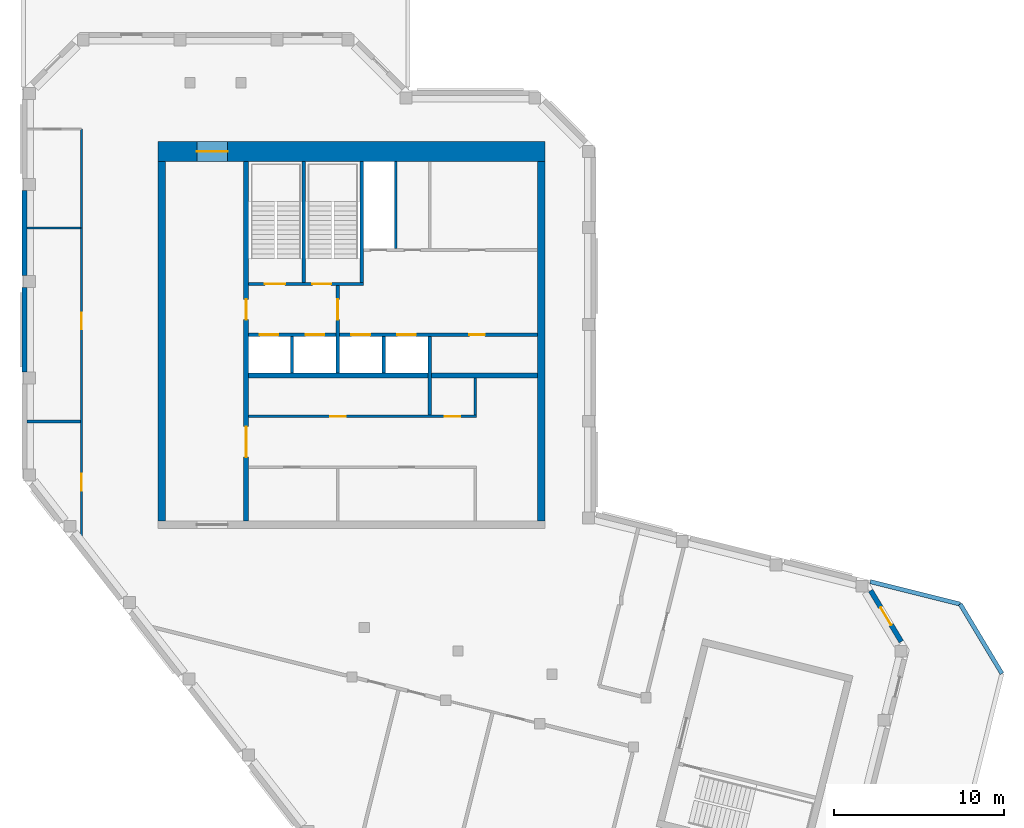
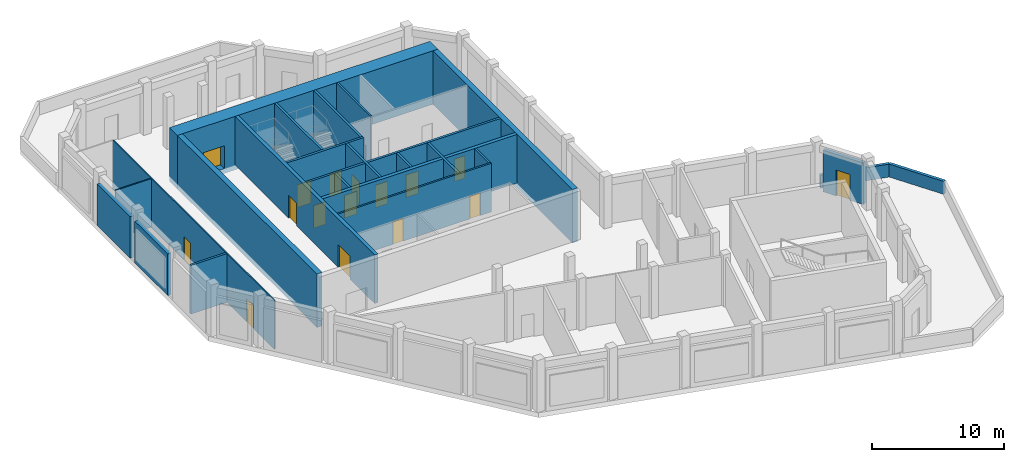
# One storey, part 3 of 5: 24 walls, 16 doors, 16 openings.
"""IFC4 building model written with IfcOpenShell, lengths in metres."""

from ifc_helpers import new_model, si_unit, direction, frame, frame_2d, origin, place, context, subcontext, project, spatial, rectangle, extrude, material, layer, layer_set, type_object, element, fill, save


model = new_model("IFC4")

# Units and contexts
model_context = context("Model", 3, precision=1e-05, world=origin(), true_north=direction((0.0, 1.0)))
body_context = subcontext(model_context, "Body", "Model", "MODEL_VIEW")
ifc_project = project(units=[si_unit("LENGTHUNIT", "METRE"), si_unit("AREAUNIT", "SQUARE_METRE"), si_unit("VOLUMEUNIT", "CUBIC_METRE"), si_unit("PLANEANGLEUNIT", "RADIAN"), si_unit("MASSUNIT", "GRAM", prefix="KILO")], contexts=[model_context])

# Site, building, storey
site_placement = place(None, origin())
site = spatial("IfcSite", under=ifc_project, at=site_placement, CompositionType="ELEMENT")
building_placement = place(site_placement, origin())
building = spatial("IfcBuilding", under=site, at=building_placement, Name="Meshkara Civic Tower", CompositionType="ELEMENT")
storey_placement = place(building_placement, frame((0.0, 0.0, 409.800048828125)))
storey = spatial("IfcBuildingStorey", under=building, at=storey_placement, Name="L94 Crown", CompositionType="ELEMENT", Elevation=409.800048828125)

# Walls
ifc_material_1 = material(Name="Insulated infill panel with bronze anodised aluminium cladding", Category="aluminium")
ifc_layer_1 = layer(ifc_material_1, 0.300048828125)
ifc_layer_set_1 = layer_set([ifc_layer_1], Name="CROWN WALL 300")
wall_type_1 = type_object("IfcWallType", Name="CROWN WALL 300", PredefinedType="SOLIDWALL", material=ifc_layer_set_1)
for number, where, z_axis, x_axis, name in (
    (1, (0.14990234375, 34.0048828125, 0.0), (0.0, 0.0, 1.0), (0.0, -1.0, 0.0), "Crown external wall"),
    (2, (0.14990234375, 28.304931640625, 0.0), (0.0, 0.0, 1.0), (0.0, -1.0, 0.0), "Crown external wall"),
):
    element("IfcWall", number, at=place(storey_placement, frame(where, z_axis=z_axis, x_axis=x_axis)), inside=storey, type_object=wall_type_1, Name=name, PredefinedType="SOLIDWALL", context=body_context, shape_type="SweptSolid", body=[
        extrude(rectangle(XDim=5.0, YDim=0.300048828125, at=frame_2d((2.5, 0.0))), origin(), (0.0, 0.0, 1.0), 3.849853515625),
    ])

# Wall, opening, door
wall_1_placement = place(storey_placement, frame((51.780029296875, 7.43896484375, 0.0), z_axis=(0.0, 0.0, 1.0), x_axis=(-0.514956880481, 0.857216082003, 0.0)))
wall_1 = element("IfcWall", 3, at=wall_1_placement, inside=storey, type_object=wall_type_1, Name="Crown external wall", PredefinedType="SOLIDWALL", context=body_context, shape_type="SweptSolid", body=[
    extrude(rectangle(XDim=3.503173828125, YDim=0.300048828125, at=frame_2d((1.75146484375, 0.0))), origin(), (0.0, 0.0, 1.0), 3.849853515625),
])
opening_1_placement = place(wall_1_placement, frame((1.152099609375, 0.0, 0.0)))
opening_1 = element("IfcOpeningElement", 4, at=opening_1_placement, cuts=wall_1, Name="Opening L94 Crown-L008", PredefinedType="OPENING", context=body_context, shape_type="SweptSolid", body=[
    extrude(rectangle(XDim=1.199951171875, YDim=2.39990234375, at=frame_2d((0.60009765625, 1.199951171875))), frame((0.0, 0.159912109375, 0.0), z_axis=(0.0, -1.0, 0.0), x_axis=(1.0, 0.0, 0.0)), (0.0, 0.0, 1.0), 0.320068359375),
])
ifc_material_2 = material(Name="Steel S355", Category="steel")
door_type_1 = type_object("IfcDoorType", Name="ROOF ACCESS DOOR 1200x2400", OperationType="SINGLE_SWING_LEFT", PredefinedType="DOOR", material=ifc_material_2)
door_1_placement = place(opening_1_placement, origin())
door_1 = element("IfcDoor", 5, at=door_1_placement, inside=storey, type_object=door_type_1, Name="L94 Crown-L008", OperationType="SINGLE_SWING_LEFT", OverallHeight=2.39990234375, OverallWidth=1.199951171875, PredefinedType="DOOR", context=body_context, shape_type="SweptSolid", body=[
    extrude(rectangle(XDim=1.199951171875, YDim=2.39990234375, at=frame_2d((0.60009765625, 1.199951171875))), frame((0.0, 0.02490234375, 0.0), z_axis=(0.0, -1.0, 0.0), x_axis=(1.0, 0.0, 0.0)), (0.0, 0.0, 1.0), 0.050048828125),
])
fill(opening_1, door_1)

# Wall, openings, doors
ifc_material_3 = material(Name="Blockwork", Category="masonry")
ifc_layer_2 = layer(ifc_material_3, 0.14990234375)
ifc_layer_set_2 = layer_set([ifc_layer_2], Name="Core partition 150")
wall_type_2 = type_object("IfcWallType", Name="Core partition 150", PredefinedType="PARTITIONING", material=ifc_layer_set_2)
wall_2_placement = place(storey_placement, frame((13.35009765625, 20.699951171875, 0.0), z_axis=(0.0, 0.0, 1.0), x_axis=(1.0, 0.0, 0.0)))
wall_2 = element("IfcWall", 6, at=wall_2_placement, inside=storey, type_object=wall_type_2, Name="L94 Crown-C006", PredefinedType="PARTITIONING", context=body_context, shape_type="SweptSolid", body=[
    extrude(rectangle(XDim=13.4248046875, YDim=0.14990234375, at=frame_2d((6.71240234375, 0.0))), origin(), (0.0, 0.0, 1.0), 4.5),
])
opening_2_placement = place(wall_2_placement, frame((4.800048828125, 0.0, 0.0)))
opening_2 = element("IfcOpeningElement", 7, at=opening_2_placement, cuts=wall_2, Name="Opening L94 Crown-K007", PredefinedType="OPENING", context=body_context, shape_type="SweptSolid", body=[
    extrude(rectangle(XDim=0.89990234375, YDim=2.10009765625, at=frame_2d((0.449951171875, 1.050048828125))), frame((0.0, 0.0849609375, 0.0), z_axis=(0.0, -1.0, 0.0), x_axis=(1.0, 0.0, 0.0)), (0.0, 0.0, 1.0), 0.169921875),
])
opening_3_placement = place(wall_2_placement, frame((11.550048828125, 0.0, 0.0)))
opening_3 = element("IfcOpeningElement", 8, at=opening_3_placement, cuts=wall_2, Name="Opening L94 Crown-K008", PredefinedType="OPENING", context=body_context, shape_type="SweptSolid", body=[
    extrude(rectangle(XDim=0.89990234375, YDim=2.10009765625, at=frame_2d((0.449951171875, 1.050048828125))), frame((0.0, 0.0849609375, 0.0), z_axis=(0.0, -1.0, 0.0), x_axis=(1.0, 0.0, 0.0)), (0.0, 0.0, 1.0), 0.169921875),
])
ifc_material_4 = material(Name="Timber door leaf in steel frame", Category="steel")
door_type_2 = type_object("IfcDoorType", Name="Core room door 900", OperationType="SINGLE_SWING_LEFT", PredefinedType="DOOR", material=ifc_material_4)
door_2_placement = place(opening_2_placement, origin())
door_2 = element("IfcDoor", 9, at=door_2_placement, inside=storey, type_object=door_type_2, Name="L94 Crown-K007", OperationType="SINGLE_SWING_RIGHT", OverallHeight=2.10009765625, OverallWidth=0.89990234375, PredefinedType="DOOR", context=body_context, shape_type="SweptSolid", body=[
    extrude(rectangle(XDim=0.89990234375, YDim=2.10009765625, at=frame_2d((0.449951171875, 1.050048828125))), frame((0.0, 0.02490234375, 0.0), z_axis=(0.0, -1.0, 0.0), x_axis=(1.0, 0.0, 0.0)), (0.0, 0.0, 1.0), 0.050048828125),
])
fill(opening_2, door_2)
door_3_placement = place(opening_3_placement, origin())
door_3 = element("IfcDoor", 10, at=door_3_placement, inside=storey, type_object=door_type_2, Name="L94 Crown-K008", OperationType="SINGLE_SWING_RIGHT", OverallHeight=2.10009765625, OverallWidth=0.89990234375, PredefinedType="DOOR", context=body_context, shape_type="SweptSolid", body=[
    extrude(rectangle(XDim=0.89990234375, YDim=2.10009765625, at=frame_2d((0.449951171875, 1.050048828125))), frame((0.0, 0.02490234375, 0.0), z_axis=(0.0, -1.0, 0.0), x_axis=(1.0, 0.0, 0.0)), (0.0, 0.0, 1.0), 0.050048828125),
])
fill(opening_3, door_3)

# Walls
wall_3_placement = place(storey_placement, frame((22.0, 30.574951171875, 0.0), z_axis=(0.0, 0.0, 1.0), x_axis=(0.0, 1.0, 0.0)))
element("IfcWall", 11, at=wall_3_placement, inside=storey, type_object=wall_type_2, Name="L94 Crown-C018", PredefinedType="PARTITIONING", context=body_context, shape_type="SweptSolid", body=[
    extrude(rectangle(XDim=5.125, YDim=0.14990234375, at=frame_2d((2.5625, 0.0))), origin(), (0.0, 0.0, 1.0), 4.5),
])
wall_4_placement = place(storey_placement, frame((26.699951171875, 20.77490234375, 0.0), z_axis=(0.0, 0.0, 1.0), x_axis=(0.0, 1.0, 0.0)))
element("IfcWall", 12, at=wall_4_placement, inside=storey, type_object=wall_type_2, Name="L94 Crown-C022", PredefinedType="PARTITIONING", context=body_context, shape_type="SweptSolid", body=[
    extrude(rectangle(XDim=2.175048828125, YDim=0.14990234375, at=frame_2d((1.08740234375, 0.0))), origin(), (0.0, 0.0, 1.0), 4.5),
])

# Wall, opening, door
ifc_material_5 = material(Name="Concrete C50", Category="concrete")
ifc_layer_3 = layer(ifc_material_5, 1.199951171875)
ifc_layer_set_3 = layer_set([ifc_layer_3], Name="Core ring wall 1200 C50")
wall_type_3 = type_object("IfcWallType", Name="Core ring wall 1200 C50", PredefinedType="SHEAR", material=ifc_layer_set_3)
wall_5_placement = place(storey_placement, frame((8.0, 36.300048828125, -0.449951171875), z_axis=(0.0, 0.0, 1.0), x_axis=(1.0, 0.0, 0.0)))
wall_5 = element("IfcWall", 13, at=wall_5_placement, inside=storey, type_object=wall_type_3, Name="L94 Crown-C002", PredefinedType="SHEAR", context=body_context, shape_type="SweptSolid", body=[
    extrude(rectangle(XDim=22.800048828125, YDim=1.199951171875, at=frame_2d((11.39990234375, 0.0))), origin(), (0.0, 0.0, 1.0), 4.949951171875),
])
opening_4_placement = place(wall_5_placement, frame((2.300048828125, 0.0, 0.449951171875)))
opening_4 = element("IfcOpeningElement", 14, at=opening_4_placement, cuts=wall_5, Name="Opening L94 Crown-K018", PredefinedType="OPENING", context=body_context, shape_type="SweptSolid", body=[
    extrude(rectangle(XDim=1.800048828125, YDim=2.10009765625, at=frame_2d((0.89990234375, 1.050048828125))), frame((0.0, 0.60986328125, 0.0), z_axis=(0.0, -1.0, 0.0), x_axis=(1.0, 0.0, 0.0)), (0.0, 0.0, 1.0), 1.219970703125),
])
ifc_material_6 = material(Name="Fire-rated door leaf in steel frame", Category="steel")
door_type_3 = type_object("IfcDoorType", Name="Core double door 1800 EI 60", OperationType="DOUBLE_DOOR_SINGLE_SWING", PredefinedType="DOOR", material=ifc_material_6)
door_4_placement = place(opening_4_placement, origin())
door_4 = element("IfcDoor", 15, at=door_4_placement, inside=storey, type_object=door_type_3, Name="L94 Crown-K018", OperationType="DOUBLE_DOOR_SINGLE_SWING", OverallHeight=2.10009765625, OverallWidth=1.800048828125, PredefinedType="DOOR", context=body_context, shape_type="SweptSolid", body=[
    extrude(rectangle(XDim=1.800048828125, YDim=2.10009765625, at=frame_2d((0.89990234375, 1.050048828125))), frame((0.0, 0.02490234375, 0.0), z_axis=(0.0, -1.0, 0.0), x_axis=(1.0, 0.0, 0.0)), (0.0, 0.0, 1.0), 0.050048828125),
])
fill(opening_4, door_4)

# Walls
ifc_material_7 = material(Name="Concrete C50", Category="concrete")
ifc_layer_4 = layer(ifc_material_7, 0.449951171875)
ifc_layer_set_4 = layer_set([ifc_layer_4], Name="Core ring wall 450 C50")
wall_type_4 = type_object("IfcWallType", Name="Core ring wall 450 C50", PredefinedType="SHEAR", material=ifc_layer_set_4)
for number, where, z_axis, x_axis, name in (
    (16, (8.22509765625, 14.550048828125, -0.449951171875), (0.0, 0.0, 1.0), (0.0, 1.0, 0.0), "L94 Crown-C003"),
    (17, (30.574951171875, 14.550048828125, -0.449951171875), (0.0, 0.0, 1.0), (0.0, 1.0, 0.0), "L94 Crown-C004"),
):
    element("IfcWall", number, at=place(storey_placement, frame(where, z_axis=z_axis, x_axis=x_axis)), inside=storey, type_object=wall_type_4, Name=name, PredefinedType="SHEAR", context=body_context, shape_type="SweptSolid", body=[
        extrude(rectangle(XDim=21.14990234375, YDim=0.449951171875, at=frame_2d((10.574951171875, 0.0))), origin(), (0.0, 0.0, 1.0), 4.949951171875),
    ])
ifc_material_8 = material(Name="Concrete C50", Category="concrete")
ifc_layer_5 = layer(ifc_material_8, 0.300048828125)
ifc_layer_set_5 = layer_set([ifc_layer_5], Name="Core shear wall 300 C50")
wall_type_5 = type_object("IfcWallType", Name="Core shear wall 300 C50", PredefinedType="SHEAR", material=ifc_layer_set_5)
wall_6_placement = place(storey_placement, frame((13.35009765625, 23.10009765625, 0.0), z_axis=(0.0, 0.0, 1.0), x_axis=(1.0, 0.0, 0.0)))
element("IfcWall", 18, at=wall_6_placement, inside=storey, type_object=wall_type_5, Name="L94 Crown-C007", PredefinedType="SHEAR", context=body_context, shape_type="SweptSolid", body=[
    extrude(rectangle(XDim=17.0, YDim=0.300048828125, at=frame_2d((8.5, 0.0))), origin(), (0.0, 0.0, 1.0), 4.5),
])

# Wall, openings, doors
wall_7_placement = place(storey_placement, frame((13.199951171875, 14.550048828125, 0.0), z_axis=(0.0, 0.0, 1.0), x_axis=(0.0, 1.0, 0.0)))
wall_7 = element("IfcWall", 19, at=wall_7_placement, inside=storey, type_object=wall_type_5, Name="L94 Crown-C011", PredefinedType="SHEAR", context=body_context, shape_type="SweptSolid", body=[
    extrude(rectangle(XDim=21.14990234375, YDim=0.300048828125, at=frame_2d((10.574951171875, 0.0))), origin(), (0.0, 0.0, 1.0), 4.5),
])
opening_5_placement = place(wall_7_placement, frame((3.75, 0.0, 0.0)))
opening_5 = element("IfcOpeningElement", 20, at=opening_5_placement, cuts=wall_7, Name="Opening L94 Crown-K015", PredefinedType="OPENING", context=body_context, shape_type="SweptSolid", body=[
    extrude(rectangle(XDim=1.800048828125, YDim=2.10009765625, at=frame_2d((0.89990234375, 1.050048828125))), frame((0.0, 0.159912109375, 0.0), z_axis=(0.0, -1.0, 0.0), x_axis=(1.0, 0.0, 0.0)), (0.0, 0.0, 1.0), 0.320068359375),
])
opening_6_placement = place(wall_7_placement, frame((11.85009765625, 0.0, 0.0)))
opening_6 = element("IfcOpeningElement", 21, at=opening_6_placement, cuts=wall_7, Name="Opening L94 Crown-K016", PredefinedType="OPENING", context=body_context, shape_type="SweptSolid", body=[
    extrude(rectangle(XDim=1.199951171875, YDim=2.10009765625, at=frame_2d((0.60009765625, 1.050048828125))), frame((0.0, 0.159912109375, 0.0), z_axis=(0.0, -1.0, 0.0), x_axis=(1.0, 0.0, 0.0)), (0.0, 0.0, 1.0), 0.320068359375),
])
door_5_placement = place(opening_5_placement, origin())
door_5 = element("IfcDoor", 22, at=door_5_placement, inside=storey, type_object=door_type_3, Name="L94 Crown-K015", OperationType="DOUBLE_DOOR_SINGLE_SWING", OverallHeight=2.10009765625, OverallWidth=1.800048828125, PredefinedType="DOOR", context=body_context, shape_type="SweptSolid", body=[
    extrude(rectangle(XDim=1.800048828125, YDim=2.10009765625, at=frame_2d((0.89990234375, 1.050048828125))), frame((0.0, 0.02490234375, 0.0), z_axis=(0.0, -1.0, 0.0), x_axis=(1.0, 0.0, 0.0)), (0.0, 0.0, 1.0), 0.050048828125),
])
fill(opening_5, door_5)
ifc_material_9 = material(Name="Fire-rated door leaf in steel frame", Category="steel")
door_type_4 = type_object("IfcDoorType", Name="Fire-fighting lobby door 1200 EI 120", OperationType="SINGLE_SWING_LEFT", PredefinedType="DOOR", material=ifc_material_9)
door_6_placement = place(opening_6_placement, origin())
door_6 = element("IfcDoor", 23, at=door_6_placement, inside=storey, type_object=door_type_4, Name="L94 Crown-K016", OperationType="SINGLE_SWING_LEFT", OverallHeight=2.10009765625, OverallWidth=1.199951171875, PredefinedType="DOOR", context=body_context, shape_type="SweptSolid", body=[
    extrude(rectangle(XDim=1.199951171875, YDim=2.10009765625, at=frame_2d((0.60009765625, 1.050048828125))), frame((0.0, 0.02490234375, 0.0), z_axis=(0.0, -1.0, 0.0), x_axis=(1.0, 0.0, 0.0)), (0.0, 0.0, 1.0), 0.050048828125),
])
fill(opening_6, door_6)

ifc_material_10 = material(Name="Corridor wall 100")
ifc_layer_6 = layer(ifc_material_10, 0.10009765625)
ifc_layer_set_6 = layer_set([ifc_layer_6], Name="Corridor wall 100")
wall_type_6 = type_object("IfcWallType", Name="Corridor wall 100", PredefinedType="PARTITIONING", material=ifc_layer_set_6)
wall_8_placement = place(storey_placement, frame((3.5, 37.6201171875, 0.0), z_axis=(0.0, 0.0, 1.0), x_axis=(0.0, -1.0, 0.0)))
wall_8 = element("IfcWall", 24, at=wall_8_placement, inside=storey, type_object=wall_type_6, Name="L94 Crown-R002", PredefinedType="PARTITIONING", context=body_context, shape_type="SweptSolid", body=[
    extrude(rectangle(XDim=24.51318359375, YDim=0.10009765625, at=frame_2d((12.256591796875, 0.0))), origin(), (0.0, 0.0, 1.0), 4.5),
])
opening_7_placement = place(wall_8_placement, frame((20.300048828125, 0.0, 0.0)))
opening_7 = element("IfcOpeningElement", 25, at=opening_7_placement, cuts=wall_8, Name="Opening L94 Crown-P005", PredefinedType="OPENING", context=body_context, shape_type="SweptSolid", body=[
    extrude(rectangle(XDim=1.0, YDim=2.10009765625, at=frame_2d((0.5, 1.050048828125))), frame((0.0, 0.06005859375, 0.0), z_axis=(0.0, -1.0, 0.0), x_axis=(1.0, 0.0, 0.0)), (0.0, 0.0, 1.0), 0.1201171875),
])
opening_8_placement = place(wall_8_placement, frame((10.800048828125, 0.0, 0.0)))
opening_8 = element("IfcOpeningElement", 26, at=opening_8_placement, cuts=wall_8, Name="Opening L94 Crown-P006", PredefinedType="OPENING", context=body_context, shape_type="SweptSolid", body=[
    extrude(rectangle(XDim=1.0, YDim=2.10009765625, at=frame_2d((0.5, 1.050048828125))), frame((0.0, 0.06005859375, 0.0), z_axis=(0.0, -1.0, 0.0), x_axis=(1.0, 0.0, 0.0)), (0.0, 0.0, 1.0), 0.1201171875),
])
ifc_material_11 = material(Name="Door 1000 x 2100")
door_type_5 = type_object("IfcDoorType", Name="Door 1000 x 2100", OperationType="SINGLE_SWING_LEFT", PredefinedType="DOOR", material=ifc_material_11)
door_7_placement = place(opening_7_placement, origin())
door_7 = element("IfcDoor", 27, at=door_7_placement, inside=storey, type_object=door_type_5, Name="L94 Crown-P005", OperationType="SINGLE_SWING_RIGHT", OverallHeight=2.10009765625, OverallWidth=1.0, PredefinedType="DOOR", context=body_context, shape_type="SweptSolid", body=[
    extrude(rectangle(XDim=1.0, YDim=2.10009765625, at=frame_2d((0.5, 1.050048828125))), frame((0.0, 0.02490234375, 0.0), z_axis=(0.0, -1.0, 0.0), x_axis=(1.0, 0.0, 0.0)), (0.0, 0.0, 1.0), 0.050048828125),
])
fill(opening_7, door_7)
door_8_placement = place(opening_8_placement, origin())
door_8 = element("IfcDoor", 28, at=door_8_placement, inside=storey, type_object=door_type_5, Name="L94 Crown-P006", OperationType="SINGLE_SWING_LEFT", OverallHeight=2.10009765625, OverallWidth=1.0, PredefinedType="DOOR", context=body_context, shape_type="SweptSolid", body=[
    extrude(rectangle(XDim=1.0, YDim=2.10009765625, at=frame_2d((0.5, 1.050048828125))), frame((0.0, 0.02490234375, 0.0), z_axis=(0.0, -1.0, 0.0), x_axis=(1.0, 0.0, 0.0)), (0.0, 0.0, 1.0), 0.050048828125),
])
fill(opening_8, door_8)

# Walls
ifc_material_12 = material(Name="Fire-rated wall 200")
ifc_layer_7 = layer(ifc_material_12, 0.199951171875)
ifc_layer_set_7 = layer_set([ifc_layer_7], Name="Fire-rated wall 200")
wall_type_7 = type_object("IfcWallType", Name="Fire-rated wall 200", PredefinedType="PARTITIONING", material=ifc_layer_set_7)
wall_9_placement = place(storey_placement, frame((3.449951171875, 20.39990234375, 0.0), z_axis=(0.0, 0.0, 1.0), x_axis=(-1.0, 0.0, 0.0)))
element("IfcWall", 29, at=wall_9_placement, inside=storey, type_object=wall_type_7, Name="L94 Crown-R013", PredefinedType="PARTITIONING", context=body_context, shape_type="SweptSolid", body=[
    extrude(rectangle(XDim=3.14990234375, YDim=0.199951171875, at=frame_2d((1.574951171875, 0.0))), origin(), (0.0, 0.0, 1.0), 4.5),
])
ifc_material_13 = material(Name="Partition 100")
ifc_layer_8 = layer(ifc_material_13, 0.10009765625)
ifc_layer_set_8 = layer_set([ifc_layer_8], Name="Partition 100")
wall_type_8 = type_object("IfcWallType", Name="Partition 100", PredefinedType="PARTITIONING", material=ifc_layer_set_8)
wall_10_placement = place(storey_placement, frame((3.449951171875, 31.800048828125, 0.0), z_axis=(0.0, 0.0, 1.0), x_axis=(-1.0, 0.0, 0.0)))
element("IfcWall", 30, at=wall_10_placement, inside=storey, type_object=wall_type_8, Name="L94 Crown-R014", PredefinedType="PARTITIONING", context=body_context, shape_type="SweptSolid", body=[
    extrude(rectangle(XDim=3.14990234375, YDim=0.10009765625, at=frame_2d((1.574951171875, 0.0))), origin(), (0.0, 0.0, 1.0), 4.5),
])
ifc_material_14 = material(Name="Concrete C40", Category="concrete")
ifc_layer_9 = layer(ifc_material_14, 0.25)
ifc_layer_set_9 = layer_set([ifc_layer_9], Name="ROOF PARAPET 250")
wall_type_9 = type_object("IfcWallType", Name="ROOF PARAPET 250", PredefinedType="PARAPET", material=ifc_layer_set_9)
wall_11_placement = place(storey_placement, frame((49.948974609375, 10.971923828125, 0.0), z_axis=(0.0, 0.0, 1.0), x_axis=(0.970292231073, -0.24193591366, 0.0)))
element("IfcWall", 31, at=wall_11_placement, inside=storey, type_object=wall_type_9, Name="Roof parapet", PredefinedType="PARAPET", context=body_context, shape_type="SweptSolid", body=[
    extrude(rectangle(XDim=5.460205078125, YDim=0.25, at=frame_2d((2.72998046875, 0.0))), origin(), (0.0, 0.0, 1.0), 1.199951171875),
])
wall_12_placement = place(storey_placement, frame((55.2470703125, 9.65087890625, 0.0), z_axis=(0.0, 0.0, 1.0), x_axis=(0.515014101709, -0.857181704798, 0.0)))
element("IfcWall", 32, at=wall_12_placement, inside=storey, type_object=wall_type_9, Name="Roof parapet", PredefinedType="PARAPET", context=body_context, shape_type="SweptSolid", body=[
    extrude(rectangle(XDim=4.7783203125, YDim=0.25, at=frame_2d((2.38916015625, 0.0))), origin(), (0.0, 0.0, 1.0), 1.199951171875),
])

# Wall, openings, doors
ifc_material_15 = material(Name="Concrete C40/50", Category="concrete")
ifc_layer_10 = layer(ifc_material_15, 0.199951171875)
ifc_layer_set_10 = layer_set([ifc_layer_10], Name="Shaft wall 200 C40/50")
wall_type_10 = type_object("IfcWallType", Name="Shaft wall 200 C40/50", PredefinedType="SOLIDWALL", material=ifc_layer_set_10)
wall_13_placement = place(storey_placement, frame((13.35009765625, 25.5, 0.0), z_axis=(0.0, 0.0, 1.0), x_axis=(1.0, 0.0, 0.0)))
wall_13 = element("IfcWall", 33, at=wall_13_placement, inside=storey, type_object=wall_type_10, Name="L94 Crown-C008", PredefinedType="SOLIDWALL", context=body_context, shape_type="SweptSolid", body=[
    extrude(rectangle(XDim=17.0, YDim=0.199951171875, at=frame_2d((8.5, 0.0))), origin(), (0.0, 0.0, 1.0), 4.5),
])
opening_9_placement = place(wall_13_placement, frame((0.64990234375, 0.0, 0.0)))
opening_9 = element("IfcOpeningElement", 34, at=opening_9_placement, cuts=wall_13, Name="Opening L94 Crown-K001", PredefinedType="OPENING", context=body_context, shape_type="SweptSolid", body=[
    extrude(rectangle(XDim=1.10009765625, YDim=2.10009765625, at=frame_2d((0.550048828125, 1.050048828125))), frame((0.0, 0.10986328125, 0.0), z_axis=(0.0, -1.0, 0.0), x_axis=(1.0, 0.0, 0.0)), (0.0, 0.0, 1.0), 0.219970703125),
])
opening_10_placement = place(wall_13_placement, frame((3.35009765625, 0.0, 0.0)))
opening_10 = element("IfcOpeningElement", 35, at=opening_10_placement, cuts=wall_13, Name="Opening L94 Crown-K002", PredefinedType="OPENING", context=body_context, shape_type="SweptSolid", body=[
    extrude(rectangle(XDim=1.10009765625, YDim=2.10009765625, at=frame_2d((0.550048828125, 1.050048828125))), frame((0.0, 0.10986328125, 0.0), z_axis=(0.0, -1.0, 0.0), x_axis=(1.0, 0.0, 0.0)), (0.0, 0.0, 1.0), 0.219970703125),
])
opening_11_placement = place(wall_13_placement, frame((6.050048828125, 0.0, 0.0)))
opening_11 = element("IfcOpeningElement", 36, at=opening_11_placement, cuts=wall_13, Name="Opening L94 Crown-K003", PredefinedType="OPENING", context=body_context, shape_type="SweptSolid", body=[
    extrude(rectangle(XDim=1.10009765625, YDim=2.10009765625, at=frame_2d((0.550048828125, 1.050048828125))), frame((0.0, 0.10986328125, 0.0), z_axis=(0.0, -1.0, 0.0), x_axis=(1.0, 0.0, 0.0)), (0.0, 0.0, 1.0), 0.219970703125),
])
opening_12_placement = place(wall_13_placement, frame((8.75, 0.0, 0.0)))
opening_12 = element("IfcOpeningElement", 37, at=opening_12_placement, cuts=wall_13, Name="Opening L94 Crown-K004", PredefinedType="OPENING", context=body_context, shape_type="SweptSolid", body=[
    extrude(rectangle(XDim=1.10009765625, YDim=2.10009765625, at=frame_2d((0.550048828125, 1.050048828125))), frame((0.0, 0.10986328125, 0.0), z_axis=(0.0, -1.0, 0.0), x_axis=(1.0, 0.0, 0.0)), (0.0, 0.0, 1.0), 0.219970703125),
])
opening_13_placement = place(wall_13_placement, frame((13.0, 0.0, 0.0)))
opening_13 = element("IfcOpeningElement", 38, at=opening_13_placement, cuts=wall_13, Name="Opening L94 Crown-K009", PredefinedType="OPENING", context=body_context, shape_type="SweptSolid", body=[
    extrude(rectangle(XDim=0.89990234375, YDim=2.10009765625, at=frame_2d((0.449951171875, 1.050048828125))), frame((0.0, 0.10986328125, 0.0), z_axis=(0.0, -1.0, 0.0), x_axis=(1.0, 0.0, 0.0)), (0.0, 0.0, 1.0), 0.219970703125),
])
door_9_placement = place(opening_13_placement, origin())
door_9 = element("IfcDoor", 39, at=door_9_placement, inside=storey, type_object=door_type_2, Name="L94 Crown-K009", OperationType="SINGLE_SWING_LEFT", OverallHeight=2.10009765625, OverallWidth=0.89990234375, PredefinedType="DOOR", context=body_context, shape_type="SweptSolid", body=[
    extrude(rectangle(XDim=0.89990234375, YDim=2.10009765625, at=frame_2d((0.449951171875, 1.050048828125))), frame((0.0, 0.02490234375, 0.0), z_axis=(0.0, -1.0, 0.0), x_axis=(1.0, 0.0, 0.0)), (0.0, 0.0, 1.0), 0.050048828125),
])
fill(opening_13, door_9)
ifc_material_16 = material(Name="Stainless steel landing door", Category="steel")
door_type_6 = type_object("IfcDoorType", Name="Lift landing door 1100", OperationType="SLIDING_TO_LEFT", PredefinedType="DOOR", material=ifc_material_16)
door_10_placement = place(opening_9_placement, origin())
door_10 = element("IfcDoor", 40, at=door_10_placement, inside=storey, type_object=door_type_6, Name="L94 Crown-K001", OperationType="SLIDING_TO_LEFT", OverallHeight=2.10009765625, OverallWidth=1.10009765625, PredefinedType="DOOR", context=body_context, shape_type="SweptSolid", body=[
    extrude(rectangle(XDim=1.10009765625, YDim=2.10009765625, at=frame_2d((0.550048828125, 1.050048828125))), frame((0.0, 0.02490234375, 0.0), z_axis=(0.0, -1.0, 0.0), x_axis=(1.0, 0.0, 0.0)), (0.0, 0.0, 1.0), 0.050048828125),
])
fill(opening_9, door_10)
door_11_placement = place(opening_10_placement, origin())
door_11 = element("IfcDoor", 41, at=door_11_placement, inside=storey, type_object=door_type_6, Name="L94 Crown-K002", OperationType="SLIDING_TO_LEFT", OverallHeight=2.10009765625, OverallWidth=1.10009765625, PredefinedType="DOOR", context=body_context, shape_type="SweptSolid", body=[
    extrude(rectangle(XDim=1.10009765625, YDim=2.10009765625, at=frame_2d((0.550048828125, 1.050048828125))), frame((0.0, 0.02490234375, 0.0), z_axis=(0.0, -1.0, 0.0), x_axis=(1.0, 0.0, 0.0)), (0.0, 0.0, 1.0), 0.050048828125),
])
fill(opening_10, door_11)
door_12_placement = place(opening_11_placement, origin())
door_12 = element("IfcDoor", 42, at=door_12_placement, inside=storey, type_object=door_type_6, Name="L94 Crown-K003", OperationType="SLIDING_TO_LEFT", OverallHeight=2.10009765625, OverallWidth=1.10009765625, PredefinedType="DOOR", context=body_context, shape_type="SweptSolid", body=[
    extrude(rectangle(XDim=1.10009765625, YDim=2.10009765625, at=frame_2d((0.550048828125, 1.050048828125))), frame((0.0, 0.02490234375, 0.0), z_axis=(0.0, -1.0, 0.0), x_axis=(1.0, 0.0, 0.0)), (0.0, 0.0, 1.0), 0.050048828125),
])
fill(opening_11, door_12)
door_13_placement = place(opening_12_placement, origin())
door_13 = element("IfcDoor", 43, at=door_13_placement, inside=storey, type_object=door_type_6, Name="L94 Crown-K004", OperationType="SLIDING_TO_LEFT", OverallHeight=2.10009765625, OverallWidth=1.10009765625, PredefinedType="DOOR", context=body_context, shape_type="SweptSolid", body=[
    extrude(rectangle(XDim=1.10009765625, YDim=2.10009765625, at=frame_2d((0.550048828125, 1.050048828125))), frame((0.0, 0.02490234375, 0.0), z_axis=(0.0, -1.0, 0.0), x_axis=(1.0, 0.0, 0.0)), (0.0, 0.0, 1.0), 0.050048828125),
])
fill(opening_12, door_13)

# Wall
wall_14_placement = place(storey_placement, frame((15.89990234375, 23.25, 0.0), z_axis=(0.0, 0.0, 1.0), x_axis=(0.0, 1.0, 0.0)))
element("IfcWall", 44, at=wall_14_placement, inside=storey, type_object=wall_type_10, Name="L94 Crown-C012", PredefinedType="SOLIDWALL", context=body_context, shape_type="SweptSolid", body=[
    extrude(rectangle(XDim=2.14990234375, YDim=0.199951171875, at=frame_2d((1.074951171875, 0.0))), origin(), (0.0, 0.0, 1.0), 4.5),
])

# Wall, opening, door
wall_15_placement = place(storey_placement, frame((18.60009765625, 23.25, 0.0), z_axis=(0.0, 0.0, 1.0), x_axis=(0.0, 1.0, 0.0)))
wall_15 = element("IfcWall", 45, at=wall_15_placement, inside=storey, type_object=wall_type_10, Name="L94 Crown-C015", PredefinedType="SOLIDWALL", context=body_context, shape_type="SweptSolid", body=[
    extrude(rectangle(XDim=5.14990234375, YDim=0.199951171875, at=frame_2d((2.574951171875, 0.0))), origin(), (0.0, 0.0, 1.0), 4.5),
])
opening_14_placement = place(wall_15_placement, frame((3.14990234375, 0.0, 0.0)))
opening_14 = element("IfcOpeningElement", 46, at=opening_14_placement, cuts=wall_15, Name="Opening L94 Crown-K017", PredefinedType="OPENING", context=body_context, shape_type="SweptSolid", body=[
    extrude(rectangle(XDim=1.199951171875, YDim=2.10009765625, at=frame_2d((0.60009765625, 1.050048828125))), frame((0.0, 0.10986328125, 0.0), z_axis=(0.0, -1.0, 0.0), x_axis=(1.0, 0.0, 0.0)), (0.0, 0.0, 1.0), 0.219970703125),
])
door_14_placement = place(opening_14_placement, origin())
door_14 = element("IfcDoor", 47, at=door_14_placement, inside=storey, type_object=door_type_4, Name="L94 Crown-K017", OperationType="SINGLE_SWING_RIGHT", OverallHeight=2.10009765625, OverallWidth=1.199951171875, PredefinedType="DOOR", context=body_context, shape_type="SweptSolid", body=[
    extrude(rectangle(XDim=1.199951171875, YDim=2.10009765625, at=frame_2d((0.60009765625, 1.050048828125))), frame((0.0, 0.02490234375, 0.0), z_axis=(0.0, -1.0, 0.0), x_axis=(1.0, 0.0, 0.0)), (0.0, 0.0, 1.0), 0.050048828125),
])
fill(opening_14, door_14)

# Walls
wall_16_placement = place(storey_placement, frame((21.300048828125, 23.25, 0.0), z_axis=(0.0, 0.0, 1.0), x_axis=(0.0, 1.0, 0.0)))
element("IfcWall", 48, at=wall_16_placement, inside=storey, type_object=wall_type_10, Name="L94 Crown-C017", PredefinedType="SOLIDWALL", context=body_context, shape_type="SweptSolid", body=[
    extrude(rectangle(XDim=2.14990234375, YDim=0.199951171875, at=frame_2d((1.074951171875, 0.0))), origin(), (0.0, 0.0, 1.0), 4.5),
])
wall_17_placement = place(storey_placement, frame((24.0, 20.77490234375, 0.0), z_axis=(0.0, 0.0, 1.0), x_axis=(0.0, 1.0, 0.0)))
element("IfcWall", 49, at=wall_17_placement, inside=storey, type_object=wall_type_10, Name="L94 Crown-C019", PredefinedType="SOLIDWALL", context=body_context, shape_type="SweptSolid", body=[
    extrude(rectangle(XDim=4.625, YDim=0.199951171875, at=frame_2d((2.3125, 0.0))), origin(), (0.0, 0.0, 1.0), 4.5),
])

# Wall, openings, doors
ifc_material_17 = material(Name="Concrete C40/50", Category="concrete")
ifc_layer_11 = layer(ifc_material_17, 0.199951171875)
ifc_layer_set_11 = layer_set([ifc_layer_11], Name="Stair enclosure wall 200 C40/50")
wall_type_11 = type_object("IfcWallType", Name="Stair enclosure wall 200 C40/50", PredefinedType="SOLIDWALL", material=ifc_layer_set_11)
wall_18_placement = place(storey_placement, frame((13.35009765625, 28.5, 0.0), z_axis=(0.0, 0.0, 1.0), x_axis=(1.0, 0.0, 0.0)))
wall_18 = element("IfcWall", 50, at=wall_18_placement, inside=storey, type_object=wall_type_11, Name="L94 Crown-C009", PredefinedType="SOLIDWALL", context=body_context, shape_type="SweptSolid", body=[
    extrude(rectangle(XDim=6.75, YDim=0.199951171875, at=frame_2d((3.375, 0.0))), origin(), (0.0, 0.0, 1.0), 4.5),
])
opening_15_placement = place(wall_18_placement, frame((0.949951171875, 0.0, 0.0)))
opening_15 = element("IfcOpeningElement", 51, at=opening_15_placement, cuts=wall_18, Name="Opening L94 Crown-K013", PredefinedType="OPENING", context=body_context, shape_type="SweptSolid", body=[
    extrude(rectangle(XDim=1.199951171875, YDim=2.10009765625, at=frame_2d((0.60009765625, 1.050048828125))), frame((0.0, 0.10986328125, 0.0), z_axis=(0.0, -1.0, 0.0), x_axis=(1.0, 0.0, 0.0)), (0.0, 0.0, 1.0), 0.219970703125),
])
opening_16_placement = place(wall_18_placement, frame((3.75, 0.0, 0.0)))
opening_16 = element("IfcOpeningElement", 52, at=opening_16_placement, cuts=wall_18, Name="Opening L94 Crown-K014", PredefinedType="OPENING", context=body_context, shape_type="SweptSolid", body=[
    extrude(rectangle(XDim=1.10009765625, YDim=2.10009765625, at=frame_2d((0.550048828125, 1.050048828125))), frame((0.0, 0.10986328125, 0.0), z_axis=(0.0, -1.0, 0.0), x_axis=(1.0, 0.0, 0.0)), (0.0, 0.0, 1.0), 0.219970703125),
])
ifc_material_18 = material(Name="Fire-rated door leaf in steel frame", Category="steel")
door_type_7 = type_object("IfcDoorType", Name="Stair door 1100 EI 120", OperationType="SINGLE_SWING_LEFT", PredefinedType="DOOR", material=ifc_material_18)
door_15_placement = place(opening_16_placement, origin())
door_15 = element("IfcDoor", 53, at=door_15_placement, inside=storey, type_object=door_type_7, Name="L94 Crown-K014", OperationType="SINGLE_SWING_LEFT", OverallHeight=2.10009765625, OverallWidth=1.10009765625, PredefinedType="DOOR", context=body_context, shape_type="SweptSolid", body=[
    extrude(rectangle(XDim=1.10009765625, YDim=2.10009765625, at=frame_2d((0.550048828125, 1.050048828125))), frame((0.0, 0.02490234375, 0.0), z_axis=(0.0, -1.0, 0.0), x_axis=(1.0, 0.0, 0.0)), (0.0, 0.0, 1.0), 0.050048828125),
])
fill(opening_16, door_15)
ifc_material_19 = material(Name="Fire-rated door leaf in steel frame", Category="steel")
door_type_8 = type_object("IfcDoorType", Name="Stair door 1200 EI 120", OperationType="SINGLE_SWING_LEFT", PredefinedType="DOOR", material=ifc_material_19)
door_16_placement = place(opening_15_placement, origin())
door_16 = element("IfcDoor", 54, at=door_16_placement, inside=storey, type_object=door_type_8, Name="L94 Crown-K013", OperationType="SINGLE_SWING_RIGHT", OverallHeight=2.10009765625, OverallWidth=1.199951171875, PredefinedType="DOOR", context=body_context, shape_type="SweptSolid", body=[
    extrude(rectangle(XDim=1.199951171875, YDim=2.10009765625, at=frame_2d((0.60009765625, 1.050048828125))), frame((0.0, 0.02490234375, 0.0), z_axis=(0.0, -1.0, 0.0), x_axis=(1.0, 0.0, 0.0)), (0.0, 0.0, 1.0), 0.050048828125),
])
fill(opening_15, door_16)

# Walls
for number, where, z_axis, x_axis, name in (
    (55, (16.60009765625, 28.60009765625, 0.0), (0.0, 0.0, 1.0), (0.0, 1.0, 0.0), "L94 Crown-C013"),
    (56, (20.0, 28.60009765625, 0.0), (0.0, 0.0, 1.0), (0.0, 1.0, 0.0), "L94 Crown-C016"),
):
    element("IfcWall", number, at=place(storey_placement, frame(where, z_axis=z_axis, x_axis=x_axis)), inside=storey, type_object=wall_type_11, Name=name, PredefinedType="SOLIDWALL", context=body_context, shape_type="SweptSolid", body=[
        extrude(rectangle(XDim=7.099853515625, YDim=0.199951171875, at=frame_2d((3.5498046875, 0.0))), origin(), (0.0, 0.0, 1.0), 4.5),
    ])

save(model, "model.ifc")
